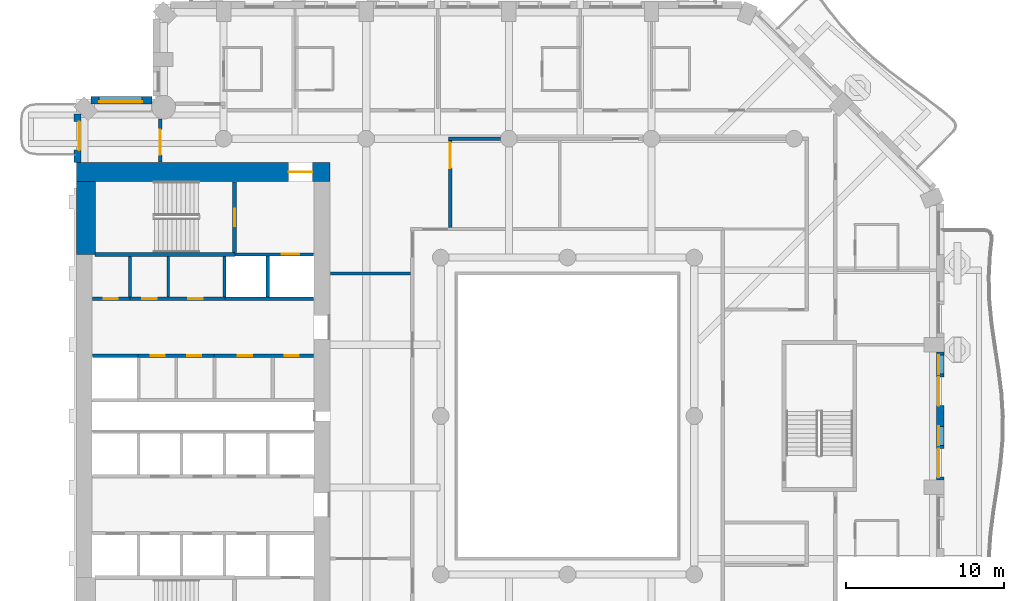
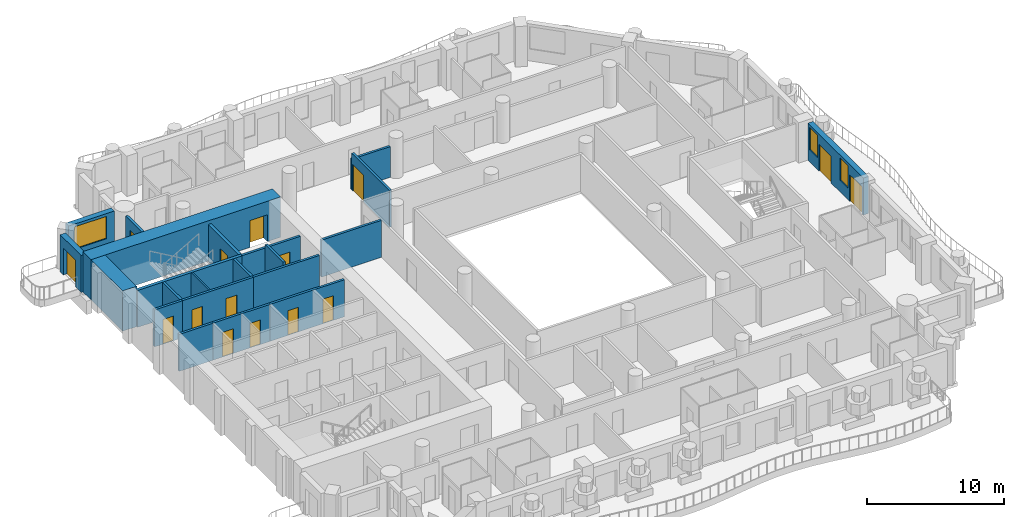
# One storey, part 7 of 20: 22 walls, 15 doors, 3 windows, 18 openings.
"""IFC4 building model written with IfcOpenShell, lengths in metres."""

import ifcopenshell
import ifcopenshell.guid

model = None  # the IFC model being written
_history = None  # IfcOwnerHistory: only IFC2X3 demands one
_inside = {}  # id of a spatial element -> (the spatial element, [elements in it])
_under = {}  # id of a project, library or spatial element -> (it, [spatial elements below it])
_declared = {}  # id of a project -> (the project, [libraries it declares])
_typed = {}  # id of a type object -> (the type object, [elements of that type])
_made_of = {}  # id of a material, layer set ... -> (it, [elements and type objects made of it])


def new_model(schema):
    """Start an empty IFC model of exactly this schema.

    Asked for "IFC4X3", IfcOpenShell would pick the latest addendum, in which some entities
    have other attributes; the version numbers below select the first issue.
    IFC2X3 requires an IfcOwnerHistory on every rooted entity: one is made here for all.
    """
    global model, _history
    if schema == "IFC4X3":
        model = ifcopenshell.file(schema_version=(4, 3, 0, 0))
    else:
        model = ifcopenshell.file(schema=schema)
    _inside.clear()
    _under.clear()
    _declared.clear()
    _typed.clear()
    _made_of.clear()
    _history = None
    if model.schema == "IFC2X3":
        org = make("IfcOrganization", Name="unknown")
        user = make(
            "IfcPersonAndOrganization",
            ThePerson=make("IfcPerson", FamilyName="unknown"),
            TheOrganization=org,
        )
        app = make(
            "IfcApplication",
            ApplicationDeveloper=org,
            Version="unknown",
            ApplicationFullName="unknown",
            ApplicationIdentifier="unknown",
        )
        _history = make(
            "IfcOwnerHistory",
            OwningUser=user,
            OwningApplication=app,
            ChangeAction="ADDED",
            CreationDate=0,
        )
    return model


def make(cls, **values):
    """One entity of the class cls with the attributes given. An attribute that is None is left unset."""
    return model.create_entity(
        cls, **{name: value for name, value in values.items() if value is not None}
    )


def rooted(cls, **values):
    """An entity with a GlobalId (a new one), such as an element, a storey or a relation."""
    return make(cls, GlobalId=ifcopenshell.guid.new(), OwnerHistory=_history, **values)


def si_unit(unit_type, name, prefix=None):
    """IfcSIUnit, for example si_unit("LENGTHUNIT", "METRE", prefix="MILLI")."""
    return make("IfcSIUnit", UnitType=unit_type, Prefix=prefix, Name=name)


def assignment(units):
    """IfcUnitAssignment: the units of a project."""
    return None if units is None else make("IfcUnitAssignment", Units=units)


def point(xyz):
    """IfcCartesianPoint."""
    return None if xyz is None else make("IfcCartesianPoint", Coordinates=xyz)


def direction(xyz):
    """IfcDirection."""
    return None if xyz is None else make("IfcDirection", DirectionRatios=xyz)


def frame(location, z_axis=None, x_axis=None):
    """IfcAxis2Placement3D, a coordinate frame: its origin and axes. An axis left out is left unset."""
    return make(
        "IfcAxis2Placement3D",
        Location=point(location),
        Axis=direction(z_axis),
        RefDirection=direction(x_axis),
    )


def frame_2d(location, x_axis=None):
    """IfcAxis2Placement2D, a coordinate frame in the plane: its origin and x axis."""
    return make(
        "IfcAxis2Placement2D", Location=point(location), RefDirection=direction(x_axis)
    )


def origin():
    """The frame at (0, 0, 0) with its axes left unset."""
    return frame((0.0, 0.0, 0.0))


def place(relative_to, where):
    """IfcLocalPlacement: puts the frame where relative to a parent placement (None: the world)."""
    return make(
        "IfcLocalPlacement", PlacementRelTo=relative_to, RelativePlacement=where
    )


def context(
    kind, dimensions, precision=None, world=None, true_north=None, identifier=None
):
    """IfcGeometricRepresentationContext, for example the 3D "Model" context."""
    return make(
        "IfcGeometricRepresentationContext",
        ContextIdentifier=identifier,
        ContextType=kind,
        CoordinateSpaceDimension=dimensions,
        Precision=precision,
        WorldCoordinateSystem=world,
        TrueNorth=true_north,
    )


def subcontext(parent, identifier, kind, view, scale=None):
    """IfcGeometricRepresentationSubContext, for example "Body" below "Model"."""
    return make(
        "IfcGeometricRepresentationSubContext",
        ContextIdentifier=identifier,
        ContextType=kind,
        ParentContext=parent,
        TargetScale=scale,
        TargetView=view,
    )


def project(units=None, contexts=None):
    """IfcProject with its units and contexts."""
    return rooted(
        "IfcProject",
        Name="project",
        RepresentationContexts=contexts,
        UnitsInContext=assignment(units),
    )


def spatial(cls, under=None, at=None, **own):
    """A site, building, storey or space (cls), placed at a placement, below another one or the project."""
    s = rooted(cls, ObjectPlacement=at, **own)
    if under is not None:
        _under.setdefault(under.id(), (under, []))[1].append(s)
    return s


def profile(cls, at=None, kind="AREA", **sizes):
    """A parametric profile (cls). Its sizes go by their IFC names, for example OverallWidth=200.0."""
    return make(cls, ProfileType=kind, Position=at, **sizes)


def rectangle(**sizes):
    """IfcRectangleProfileDef."""
    return profile("IfcRectangleProfileDef", **sizes)


def extrude(swept, where, along, depth):
    """IfcExtrudedAreaSolid: the profile swept, set in the frame where, extruded along a direction by depth."""
    return make(
        "IfcExtrudedAreaSolid",
        SweptArea=swept,
        Position=where,
        ExtrudedDirection=direction(along),
        Depth=depth,
    )


def shape(context_of_items, identifier, shape_type, items):
    """IfcShapeRepresentation: the items that make up one representation, for example the "Body"."""
    return make(
        "IfcShapeRepresentation",
        ContextOfItems=context_of_items,
        RepresentationIdentifier=identifier,
        RepresentationType=shape_type,
        Items=items,
    )


def material(Name=None, Category=None):
    """IfcMaterial."""
    return make("IfcMaterial", Name=Name, Category=Category)


def layer(
    of_material, thickness, ventilated=None, Name=None, Category=None, Priority=None
):
    """IfcMaterialLayer: one layer of a wall or slab, of a material (None: an air gap)."""
    return make(
        "IfcMaterialLayer",
        Material=of_material,
        LayerThickness=thickness,
        IsVentilated=ventilated,
        Name=Name,
        Category=Category,
        Priority=Priority,
    )


def layer_set(layers, Name=None):
    """IfcMaterialLayerSet."""
    return make("IfcMaterialLayerSet", MaterialLayers=layers, LayerSetName=Name)


def made_of(thing, what):
    """Note that an element or type object is made of a material, layer set ...; save() writes the relation."""
    if what is not None:
        _made_of.setdefault(what.id(), (what, []))[1].append(thing)
    return thing


def type_object(cls, material=None, **own):
    """A type object (cls), such as IfcWallType, which elements share."""
    return made_of(rooted(cls, **own), material)


def element(
    cls,
    number,
    at=None,
    inside=None,
    cuts=None,
    type_object=None,
    material=None,
    context=None,
    identifier="Body",
    shape_type=None,
    held_by="IfcProductDefinitionShape",
    body=None,
    shapes=None,
    **own,
):
    """One element of the class cls, such as IfcWall. Its Tag is "e" and its number.

    at: its placement. inside: the storey or other place that contains it. cuts: it is an
    opening in that element (IfcRelVoidsElement). A single representation is given by context,
    identifier, shape_type and body (its items); several are given by shapes. held_by: the class
    of the entity that holds the representations. save() writes the other relations.
    """
    e = rooted(cls, Tag="e%d" % number, ObjectPlacement=at, **own)
    if body is not None:
        shapes = [shape(context, identifier, shape_type, body)]
    if shapes is not None:
        e.Representation = make(held_by, Representations=shapes)
    if inside is not None:
        _inside.setdefault(inside.id(), (inside, []))[1].append(e)
    if cuts is not None:
        rooted(
            "IfcRelVoidsElement", RelatingBuildingElement=cuts, RelatedOpeningElement=e
        )
    if type_object is not None:
        _typed.setdefault(type_object.id(), (type_object, []))[1].append(e)
    return made_of(e, material)


def fill(opening, filler):
    """IfcRelFillsElement: the door or window that sits in an opening."""
    return rooted(
        "IfcRelFillsElement",
        RelatingOpeningElement=opening,
        RelatedBuildingElement=filler,
    )


def aggregate(whole, parts):
    """IfcRelAggregates: a whole, such as a stair, and the parts it consists of."""
    return rooted("IfcRelAggregates", RelatingObject=whole, RelatedObjects=parts)


def save(model, path):
    """Write the relations noted so far, then the file.

    IfcRelAggregates (storeys below a building ...), IfcRelContainedInSpatialStructure (elements
    in a storey), IfcRelDefinesByType, IfcRelAssociatesMaterial and IfcRelDeclares: one each for
    every whole, place, type object, material and project.
    """
    for whole, parts in _under.values():
        aggregate(whole, parts)
    for where, things in _inside.values():
        rooted(
            "IfcRelContainedInSpatialStructure",
            RelatedElements=things,
            RelatingStructure=where,
        )
    for kind, things in _typed.values():
        rooted("IfcRelDefinesByType", RelatedObjects=things, RelatingType=kind)
    for what, things in _made_of.values():
        rooted("IfcRelAssociatesMaterial", RelatedObjects=things, RelatingMaterial=what)
    for by, libraries in _declared.values():
        rooted("IfcRelDeclares", RelatingContext=by, RelatedDefinitions=libraries)
    model.write(path)


model = new_model("IFC4")

# Units and contexts
model_context = context("Model", 3, precision=1e-05, world=origin(), true_north=direction((0.0, 1.0)))
body_context = subcontext(model_context, "Body", "Model", "MODEL_VIEW")
ifc_project = project(units=[si_unit("LENGTHUNIT", "METRE"), si_unit("AREAUNIT", "SQUARE_METRE"), si_unit("VOLUMEUNIT", "CUBIC_METRE"), si_unit("PLANEANGLEUNIT", "RADIAN"), si_unit("MASSUNIT", "GRAM", prefix="KILO")], contexts=[model_context])

# Site, building, storey
site_placement = place(None, origin())
site = spatial("IfcSite", under=ifc_project, at=site_placement, CompositionType="ELEMENT")
building_placement = place(site_placement, origin())
building = spatial("IfcBuilding", under=site, at=building_placement, Name="Cypress Arch Tower", CompositionType="ELEMENT")
storey_placement = place(building_placement, frame((0.0, 0.0, 120.300048828125)))
storey = spatial("IfcBuildingStorey", under=building, at=storey_placement, Name="L25", CompositionType="ELEMENT", Elevation=120.300048828125)

# Wall, opening, door
ifc_material_1 = material(Name="Brick (red buff blend)", Category="masonry")
ifc_layer_1 = layer(ifc_material_1, 0.449951171875)
ifc_layer_set_1 = layer_set([ifc_layer_1], Name="Brick pier and spandrel wall BW450")
wall_type_1 = type_object("IfcWallType", Name="Brick pier and spandrel wall BW450", PredefinedType="SOLIDWALL", material=ifc_layer_set_1)
wall_1_placement = place(storey_placement, frame((-29.925048828125, 19.063720703125, 0.0), z_axis=(0.0, 0.0, 1.0), x_axis=(0.0, -1.0, 0.0)))
wall_1 = element("IfcWall", 1, at=wall_1_placement, inside=storey, type_object=wall_type_1, Name="Brick wall L25 A00.0", PredefinedType="SOLIDWALL", context=body_context, shape_type="SweptSolid", body=[
    extrude(rectangle(XDim=3.063720703125, YDim=0.449951171875, at=frame_2d((1.53173828125, 0.0))), origin(), (0.0, 0.0, 1.0), 3.300048828125),
])
opening_1_placement = place(wall_1_placement, frame((0.481689453125, 0.0, 0.0)))
opening_1 = element("IfcOpeningElement", 2, at=opening_1_placement, cuts=wall_1, Name="Opening D-L25-A00.0.1", PredefinedType="OPENING", context=body_context, shape_type="SweptSolid", body=[
    extrude(rectangle(XDim=1.800048828125, YDim=2.39990234375, at=frame_2d((0.89990234375, 1.199951171875))), frame((0.0, 0.23486328125, 0.0), z_axis=(0.0, -1.0, 0.0), x_axis=(1.0, 0.0, 0.0)), (0.0, 0.0, 1.0), 0.469970703125),
])
ifc_material_2 = material(Name="Anodised aluminium, bronze finish, laminated low-emissivity double glazing, large-missile impact rated", Category="aluminium")
door_type_1 = type_object("IfcDoorType", Name="Balcony sliding door 1800x2400", OperationType="SLIDING_TO_LEFT", PredefinedType="DOOR", material=ifc_material_2)
door_1_placement = place(opening_1_placement, origin())
door_1 = element("IfcDoor", 3, at=door_1_placement, inside=storey, type_object=door_type_1, Name="Balcony door L25 A00.0.1", OperationType="SLIDING_TO_LEFT", OverallHeight=2.39990234375, OverallWidth=1.800048828125, PredefinedType="DOOR", context=body_context, shape_type="SweptSolid", body=[
    extrude(rectangle(XDim=1.800048828125, YDim=2.39990234375, at=frame_2d((0.89990234375, 1.199951171875))), frame((0.0, 0.1298828125, 0.0), z_axis=(0.0, -1.0, 0.0), x_axis=(1.0, 0.0, 0.0)), (0.0, 0.0, 1.0), 0.050048828125),
])
fill(opening_1, door_1)

# Wall, openings, doors, windows
wall_2_placement = place(storey_placement, frame((24.52490234375, -4.050048828125, 0.0), z_axis=(0.0, 0.0, 1.0), x_axis=(0.0, 1.0, 0.0)))
wall_2 = element("IfcWall", 4, at=wall_2_placement, inside=storey, type_object=wall_type_1, Name="Brick wall L25 A06.2", PredefinedType="SOLIDWALL", context=body_context, shape_type="SweptSolid", body=[
    extrude(rectangle(XDim=8.10009765625, YDim=0.449951171875, at=frame_2d((4.050048828125, 0.0))), origin(), (0.0, 0.0, 1.0), 3.300048828125),
])
opening_2_placement = place(wall_2_placement, frame((0.199951171875, 0.0, 0.0)))
opening_2 = element("IfcOpeningElement", 5, at=opening_2_placement, cuts=wall_2, Name="Opening D-L25-A06.2.1", PredefinedType="OPENING", context=body_context, shape_type="SweptSolid", body=[
    extrude(rectangle(XDim=1.800048828125, YDim=2.39990234375, at=frame_2d((0.89990234375, 1.199951171875))), frame((0.0, 0.23486328125, 0.0), z_axis=(0.0, -1.0, 0.0), x_axis=(1.0, 0.0, 0.0)), (0.0, 0.0, 1.0), 0.469970703125),
])
opening_3_placement = place(wall_2_placement, frame((2.199951171875, 0.0, 1.050048828125)))
opening_3 = element("IfcOpeningElement", 6, at=opening_3_placement, cuts=wall_2, Name="Opening W120HD", PredefinedType="OPENING", context=body_context, shape_type="SweptSolid", body=[
    extrude(rectangle(XDim=1.199951171875, YDim=2.0, at=frame_2d((0.60009765625, 1.0))), frame((0.0, 0.23486328125, 0.0), z_axis=(0.0, -1.0, 0.0), x_axis=(1.0, 0.0, 0.0)), (0.0, 0.0, 1.0), 0.469970703125),
])
opening_4_placement = place(wall_2_placement, frame((4.699951171875, 0.0, 0.0)))
opening_4 = element("IfcOpeningElement", 7, at=opening_4_placement, cuts=wall_2, Name="Opening D-L25-A06.2.2", PredefinedType="OPENING", context=body_context, shape_type="SweptSolid", body=[
    extrude(rectangle(XDim=1.800048828125, YDim=2.39990234375, at=frame_2d((0.89990234375, 1.199951171875))), frame((0.0, 0.23486328125, 0.0), z_axis=(0.0, -1.0, 0.0), x_axis=(1.0, 0.0, 0.0)), (0.0, 0.0, 1.0), 0.469970703125),
])
opening_5_placement = place(wall_2_placement, frame((6.699951171875, 0.0, 1.050048828125)))
opening_5 = element("IfcOpeningElement", 8, at=opening_5_placement, cuts=wall_2, Name="Opening W120HD", PredefinedType="OPENING", context=body_context, shape_type="SweptSolid", body=[
    extrude(rectangle(XDim=1.199951171875, YDim=2.0, at=frame_2d((0.60009765625, 1.0))), frame((0.0, 0.23486328125, 0.0), z_axis=(0.0, -1.0, 0.0), x_axis=(1.0, 0.0, 0.0)), (0.0, 0.0, 1.0), 0.469970703125),
])
door_2_placement = place(opening_2_placement, origin())
door_2 = element("IfcDoor", 9, at=door_2_placement, inside=storey, type_object=door_type_1, Name="Balcony door L25 A06.2.1", OperationType="SLIDING_TO_LEFT", OverallHeight=2.39990234375, OverallWidth=1.800048828125, PredefinedType="DOOR", context=body_context, shape_type="SweptSolid", body=[
    extrude(rectangle(XDim=1.800048828125, YDim=2.39990234375, at=frame_2d((0.89990234375, 1.199951171875))), frame((0.0, 0.1298828125, 0.0), z_axis=(0.0, -1.0, 0.0), x_axis=(1.0, 0.0, 0.0)), (0.0, 0.0, 1.0), 0.050048828125),
])
fill(opening_2, door_2)
door_3_placement = place(opening_4_placement, origin())
door_3 = element("IfcDoor", 10, at=door_3_placement, inside=storey, type_object=door_type_1, Name="Balcony door L25 A06.2.2", OperationType="SLIDING_TO_LEFT", OverallHeight=2.39990234375, OverallWidth=1.800048828125, PredefinedType="DOOR", context=body_context, shape_type="SweptSolid", body=[
    extrude(rectangle(XDim=1.800048828125, YDim=2.39990234375, at=frame_2d((0.89990234375, 1.199951171875))), frame((0.0, 0.1298828125, 0.0), z_axis=(0.0, -1.0, 0.0), x_axis=(1.0, 0.0, 0.0)), (0.0, 0.0, 1.0), 0.050048828125),
])
fill(opening_4, door_3)
ifc_material_3 = material(Name="Anodised aluminium, bronze finish, laminated low-emissivity double glazing, large-missile impact rated", Category="aluminium")
window_type_1 = type_object("IfcWindowType", Name="Window Hotel 1200x2000 debris-rated", PartitioningType="SINGLE_PANEL", PredefinedType="WINDOW", material=ifc_material_3)
window_1_placement = place(opening_3_placement, origin())
window_1 = element("IfcWindow", 11, at=window_1_placement, inside=storey, type_object=window_type_1, Name="Window L25 A06.2.1", OverallHeight=2.0, OverallWidth=1.199951171875, PartitioningType="SINGLE_PANEL", PredefinedType="WINDOW", context=body_context, shape_type="SweptSolid", body=[
    extrude(rectangle(XDim=1.199951171875, YDim=2.0, at=frame_2d((0.60009765625, 1.0))), frame((0.0, 0.135009765625, 0.0), z_axis=(0.0, -1.0, 0.0), x_axis=(1.0, 0.0, 0.0)), (0.0, 0.0, 1.0), 0.06005859375),
])
fill(opening_3, window_1)
window_2_placement = place(opening_5_placement, origin())
window_2 = element("IfcWindow", 12, at=window_2_placement, inside=storey, type_object=window_type_1, Name="Window L25 A06.2.2", OverallHeight=2.0, OverallWidth=1.199951171875, PartitioningType="SINGLE_PANEL", PredefinedType="WINDOW", context=body_context, shape_type="SweptSolid", body=[
    extrude(rectangle(XDim=1.199951171875, YDim=2.0, at=frame_2d((0.60009765625, 1.0))), frame((0.0, 0.135009765625, 0.0), z_axis=(0.0, -1.0, 0.0), x_axis=(1.0, 0.0, 0.0)), (0.0, 0.0, 1.0), 0.06005859375),
])
fill(opening_5, window_2)

# Wall, opening, window
wall_3_placement = place(storey_placement, frame((-25.20703125, 19.925048828125, 0.0), z_axis=(0.0, 0.0, 1.0), x_axis=(-1.0, 0.0, 0.0)))
wall_3 = element("IfcWall", 13, at=wall_3_placement, inside=storey, type_object=wall_type_1, Name="Brick wall L25 A10.0", PredefinedType="SOLIDWALL", context=body_context, shape_type="SweptSolid", body=[
    extrude(rectangle(XDim=3.856689453125, YDim=0.449951171875, at=frame_2d((1.92822265625, 0.0))), origin(), (0.0, 0.0, 1.0), 3.300048828125),
])
opening_6_placement = place(wall_3_placement, frame((0.64306640625, 0.0, 1.050048828125)))
opening_6 = element("IfcOpeningElement", 14, at=opening_6_placement, cuts=wall_3, Name="Opening W270H", PredefinedType="OPENING", context=body_context, shape_type="SweptSolid", body=[
    extrude(rectangle(XDim=2.699951171875, YDim=2.0, at=frame_2d((1.35009765625, 1.0))), frame((0.0, 0.23486328125, 0.0), z_axis=(0.0, -1.0, 0.0), x_axis=(1.0, 0.0, 0.0)), (0.0, 0.0, 1.0), 0.469970703125),
])
ifc_material_4 = material(Name="Anodised aluminium, bronze finish, clear low-emissivity double glazing", Category="aluminium")
window_type_2 = type_object("IfcWindowType", Name="Window Hotel 2700x2000", PartitioningType="SINGLE_PANEL", PredefinedType="WINDOW", material=ifc_material_4)
window_3_placement = place(opening_6_placement, origin())
window_3 = element("IfcWindow", 15, at=window_3_placement, inside=storey, type_object=window_type_2, Name="Window L25 A10.0.1", OverallHeight=2.0, OverallWidth=2.699951171875, PartitioningType="SINGLE_PANEL", PredefinedType="WINDOW", context=body_context, shape_type="SweptSolid", body=[
    extrude(rectangle(XDim=2.699951171875, YDim=2.0, at=frame_2d((1.35009765625, 1.0))), frame((0.0, 0.135009765625, 0.0), z_axis=(0.0, -1.0, 0.0), x_axis=(1.0, 0.0, 0.0)), (0.0, 0.0, 1.0), 0.06005859375),
])
fill(opening_6, window_3)

# Wall, opening, door
ifc_material_5 = material(Name="Concrete C80/95", Category="concrete")
ifc_layer_2 = layer(ifc_material_5, 1.199951171875)
ifc_layer_set_2 = layer_set([ifc_layer_2], Name="Core wall CW1200 C80/95")
wall_type_2 = type_object("IfcWallType", Name="Core wall CW1200 C80/95", PredefinedType="SHEAR", material=ifc_layer_set_2)
wall_4_placement = place(storey_placement, frame((-30.0, 15.39990234375, 0.0), z_axis=(0.0, 0.0, 1.0), x_axis=(1.0, 0.0, 0.0)))
wall_4 = element("IfcWall", 16, at=wall_4_placement, inside=storey, type_object=wall_type_2, Name="Core wall", PredefinedType="SHEAR", context=body_context, shape_type="SweptSolid", body=[
    extrude(rectangle(XDim=16.0, YDim=1.199951171875, at=frame_2d((8.0, 0.0))), origin(), (0.0, 0.0, 1.0), 3.599853515625),
])
opening_7_placement = place(wall_4_placement, frame((13.39990234375, 0.0, 0.0)))
opening_7 = element("IfcOpeningElement", 17, at=opening_7_placement, cuts=wall_4, Name="Opening D07", PredefinedType="OPENING", context=body_context, shape_type="SweptSolid", body=[
    extrude(rectangle(XDim=1.5, YDim=2.39990234375, at=frame_2d((0.75, 1.199951171875))), frame((0.0, 0.60986328125, 0.0), z_axis=(0.0, -1.0, 0.0), x_axis=(1.0, 0.0, 0.0)), (0.0, 0.0, 1.0), 1.219970703125),
])
ifc_material_6 = material(Name="Steel framed glazed door, fire resisting", Category="steel")
door_type_2 = type_object("IfcDoorType", Name="Lobby door D07 1500x2400", OperationType="DOUBLE_DOOR_SINGLE_SWING", PredefinedType="DOOR", material=ifc_material_6)
door_4_placement = place(opening_7_placement, origin())
door_4 = element("IfcDoor", 18, at=door_4_placement, inside=storey, type_object=door_type_2, Name="Lobby door", OperationType="DOUBLE_DOOR_SINGLE_SWING", OverallHeight=2.39990234375, OverallWidth=1.5, PredefinedType="DOOR", context=body_context, shape_type="SweptSolid", body=[
    extrude(rectangle(XDim=1.5, YDim=2.39990234375, at=frame_2d((0.75, 1.199951171875))), frame((0.0, 0.02490234375, 0.0), z_axis=(0.0, -1.0, 0.0), x_axis=(1.0, 0.0, 0.0)), (0.0, 0.0, 1.0), 0.050048828125),
])
fill(opening_7, door_4)

# Wall
wall_5_placement = place(storey_placement, frame((-29.39990234375, 10.199951171875, 0.0), z_axis=(0.0, 0.0, 1.0), x_axis=(0.0, 1.0, 0.0)))
element("IfcWall", 19, at=wall_5_placement, inside=storey, type_object=wall_type_2, Name="Core wall", PredefinedType="SHEAR", context=body_context, shape_type="SweptSolid", body=[
    extrude(rectangle(XDim=4.60009765625, YDim=1.199951171875, at=frame_2d((2.300048828125, 0.0))), origin(), (0.0, 0.0, 1.0), 3.599853515625),
])

# Wall, openings, doors
ifc_material_7 = material(Name="Concrete blockwork, plastered, rated", Category="masonry")
ifc_layer_3 = layer(ifc_material_7, 0.199951171875)
ifc_layer_set_3 = layer_set([ifc_layer_3], Name="Corridor wall FW200")
wall_type_3 = type_object("IfcWallType", Name="Corridor wall FW200", PredefinedType="PARTITIONING", material=ifc_layer_set_3)
wall_6_placement = place(storey_placement, frame((-26.6201171875, 7.39990234375, 0.0), z_axis=(0.0, 0.0, 1.0), x_axis=(1.0, 0.0, 0.0)))
wall_6 = element("IfcWall", 20, at=wall_6_placement, inside=storey, type_object=wall_type_3, Name="Corridor wall", PredefinedType="PARTITIONING", context=body_context, shape_type="SweptSolid", body=[
    extrude(rectangle(XDim=6.0, YDim=0.199951171875, at=frame_2d((3.0, 0.0))), origin(), (0.0, 0.0, 1.0), 3.300048828125),
])
opening_8_placement = place(wall_6_placement, frame((0.800048828125, 0.0, 0.0)))
opening_8 = element("IfcOpeningElement", 21, at=opening_8_placement, cuts=wall_6, Name="Opening D05", PredefinedType="OPENING", context=body_context, shape_type="SweptSolid", body=[
    extrude(rectangle(XDim=0.89990234375, YDim=2.199951171875, at=frame_2d((0.449951171875, 1.10009765625))), frame((0.0, 0.10986328125, 0.0), z_axis=(0.0, -1.0, 0.0), x_axis=(1.0, 0.0, 0.0)), (0.0, 0.0, 1.0), 0.219970703125),
])
opening_9_placement = place(wall_6_placement, frame((3.699951171875, 0.0, 0.0)))
opening_9 = element("IfcOpeningElement", 22, at=opening_9_placement, cuts=wall_6, Name="Opening D05", PredefinedType="OPENING", context=body_context, shape_type="SweptSolid", body=[
    extrude(rectangle(XDim=0.89990234375, YDim=2.199951171875, at=frame_2d((0.449951171875, 1.10009765625))), frame((0.0, 0.10986328125, 0.0), z_axis=(0.0, -1.0, 0.0), x_axis=(1.0, 0.0, 0.0)), (0.0, 0.0, 1.0), 0.219970703125),
])
ifc_material_8 = material(Name="Timber flush door", Category="wood")
door_type_3 = type_object("IfcDoorType", Name="Service door D05 900x2200", OperationType="SINGLE_SWING_LEFT", PredefinedType="DOOR", material=ifc_material_8)
door_5_placement = place(opening_8_placement, origin())
door_5 = element("IfcDoor", 23, at=door_5_placement, inside=storey, type_object=door_type_3, Name="Service door", OperationType="SINGLE_SWING_RIGHT", OverallHeight=2.199951171875, OverallWidth=0.89990234375, PredefinedType="DOOR", context=body_context, shape_type="SweptSolid", body=[
    extrude(rectangle(XDim=0.89990234375, YDim=2.199951171875, at=frame_2d((0.449951171875, 1.10009765625))), frame((0.0, 0.02490234375, 0.0), z_axis=(0.0, -1.0, 0.0), x_axis=(1.0, 0.0, 0.0)), (0.0, 0.0, 1.0), 0.050048828125),
])
fill(opening_8, door_5)
door_6_placement = place(opening_9_placement, origin())
door_6 = element("IfcDoor", 24, at=door_6_placement, inside=storey, type_object=door_type_3, Name="Service door", OperationType="SINGLE_SWING_LEFT", OverallHeight=2.199951171875, OverallWidth=0.89990234375, PredefinedType="DOOR", context=body_context, shape_type="SweptSolid", body=[
    extrude(rectangle(XDim=0.89990234375, YDim=2.199951171875, at=frame_2d((0.449951171875, 1.10009765625))), frame((0.0, 0.02490234375, 0.0), z_axis=(0.0, -1.0, 0.0), x_axis=(1.0, 0.0, 0.0)), (0.0, 0.0, 1.0), 0.050048828125),
])
fill(opening_9, door_6)

wall_7_placement = place(storey_placement, frame((-26.10009765625, 3.800048828125, 0.0), z_axis=(0.0, 0.0, 1.0), x_axis=(1.0, 0.0, 0.0)))
wall_7 = element("IfcWall", 25, at=wall_7_placement, inside=storey, type_object=wall_type_3, Name="Corridor wall", PredefinedType="PARTITIONING", context=body_context, shape_type="SweptSolid", body=[
    extrude(rectangle(XDim=4.800048828125, YDim=0.199951171875, at=frame_2d((2.39990234375, 0.0))), origin(), (0.0, 0.0, 1.0), 3.300048828125),
])
opening_10_placement = place(wall_7_placement, frame((0.800048828125, 0.0, 0.0)))
opening_10 = element("IfcOpeningElement", 26, at=opening_10_placement, cuts=wall_7, Name="Opening D05", PredefinedType="OPENING", context=body_context, shape_type="SweptSolid", body=[
    extrude(rectangle(XDim=0.89990234375, YDim=2.199951171875, at=frame_2d((0.449951171875, 1.10009765625))), frame((0.0, 0.10986328125, 0.0), z_axis=(0.0, -1.0, 0.0), x_axis=(1.0, 0.0, 0.0)), (0.0, 0.0, 1.0), 0.219970703125),
])
opening_11_placement = place(wall_7_placement, frame((3.10009765625, 0.0, 0.0)))
opening_11 = element("IfcOpeningElement", 27, at=opening_11_placement, cuts=wall_7, Name="Opening D05", PredefinedType="OPENING", context=body_context, shape_type="SweptSolid", body=[
    extrude(rectangle(XDim=0.89990234375, YDim=2.199951171875, at=frame_2d((0.449951171875, 1.10009765625))), frame((0.0, 0.10986328125, 0.0), z_axis=(0.0, -1.0, 0.0), x_axis=(1.0, 0.0, 0.0)), (0.0, 0.0, 1.0), 0.219970703125),
])
door_7_placement = place(opening_10_placement, origin())
door_7 = element("IfcDoor", 28, at=door_7_placement, inside=storey, type_object=door_type_3, Name="Service door", OperationType="SINGLE_SWING_LEFT", OverallHeight=2.199951171875, OverallWidth=0.89990234375, PredefinedType="DOOR", context=body_context, shape_type="SweptSolid", body=[
    extrude(rectangle(XDim=0.89990234375, YDim=2.199951171875, at=frame_2d((0.449951171875, 1.10009765625))), frame((0.0, 0.02490234375, 0.0), z_axis=(0.0, -1.0, 0.0), x_axis=(1.0, 0.0, 0.0)), (0.0, 0.0, 1.0), 0.050048828125),
])
fill(opening_10, door_7)
door_8_placement = place(opening_11_placement, origin())
door_8 = element("IfcDoor", 29, at=door_8_placement, inside=storey, type_object=door_type_3, Name="Service door", OperationType="SINGLE_SWING_RIGHT", OverallHeight=2.199951171875, OverallWidth=0.89990234375, PredefinedType="DOOR", context=body_context, shape_type="SweptSolid", body=[
    extrude(rectangle(XDim=0.89990234375, YDim=2.199951171875, at=frame_2d((0.449951171875, 1.10009765625))), frame((0.0, 0.02490234375, 0.0), z_axis=(0.0, -1.0, 0.0), x_axis=(1.0, 0.0, 0.0)), (0.0, 0.0, 1.0), 0.050048828125),
])
fill(opening_11, door_8)

# Wall, opening, door
wall_8_placement = place(storey_placement, frame((-24.699951171875, 16.030029296875, 0.0), z_axis=(0.0, 0.0, 1.0), x_axis=(0.0, 1.0, 0.0)))
wall_8 = element("IfcWall", 30, at=wall_8_placement, inside=storey, type_object=wall_type_3, Name="Corridor wall", PredefinedType="PARTITIONING", context=body_context, shape_type="SweptSolid", body=[
    extrude(rectangle(XDim=2.72216796875, YDim=0.199951171875, at=frame_2d((1.361083984375, 0.0))), origin(), (0.0, 0.0, 1.0), 3.300048828125),
])
opening_12_placement = place(wall_8_placement, frame((0.449951171875, 0.0, 0.0)))
opening_12 = element("IfcOpeningElement", 31, at=opening_12_placement, cuts=wall_8, Name="Opening D10", PredefinedType="OPENING", context=body_context, shape_type="SweptSolid", body=[
    extrude(rectangle(XDim=1.60009765625, YDim=2.39990234375, at=frame_2d((0.800048828125, 1.199951171875))), frame((0.0, 0.10986328125, 0.0), z_axis=(0.0, -1.0, 0.0), x_axis=(1.0, 0.0, 0.0)), (0.0, 0.0, 1.0), 0.219970703125),
])
ifc_material_9 = material(Name="Black aluminium glazed door", Category="aluminium")
door_type_4 = type_object("IfcDoorType", Name="Amenity door D10 1600x2400", OperationType="DOUBLE_DOOR_SINGLE_SWING", PredefinedType="DOOR", material=ifc_material_9)
door_9_placement = place(opening_12_placement, origin())
door_9 = element("IfcDoor", 32, at=door_9_placement, inside=storey, type_object=door_type_4, Name="Amenity door", OperationType="DOUBLE_DOOR_SINGLE_SWING", OverallHeight=2.39990234375, OverallWidth=1.60009765625, PredefinedType="DOOR", context=body_context, shape_type="SweptSolid", body=[
    extrude(rectangle(XDim=1.60009765625, YDim=2.39990234375, at=frame_2d((0.800048828125, 1.199951171875))), frame((0.0, 0.02490234375, 0.0), z_axis=(0.0, -1.0, 0.0), x_axis=(1.0, 0.0, 0.0)), (0.0, 0.0, 1.0), 0.050048828125),
])
fill(opening_12, door_9)

# Wall
wall_9_placement = place(storey_placement, frame((-13.969970703125, 9.0, 0.0), z_axis=(0.0, 0.0, 1.0), x_axis=(1.0, 0.0, 0.0)))
element("IfcWall", 33, at=wall_9_placement, inside=storey, type_object=wall_type_3, Name="Corridor wall", PredefinedType="PARTITIONING", context=body_context, shape_type="SweptSolid", body=[
    extrude(rectangle(XDim=5.070068359375, YDim=0.199951171875, at=frame_2d((2.53515625, 0.0))), origin(), (0.0, 0.0, 1.0), 3.300048828125),
])

# Wall, opening, door
wall_10_placement = place(storey_placement, frame((-6.39990234375, 11.89990234375, 0.0), z_axis=(0.0, 0.0, 1.0), x_axis=(0.0, 1.0, 0.0)))
wall_10 = element("IfcWall", 34, at=wall_10_placement, inside=storey, type_object=wall_type_3, Name="Corridor wall", PredefinedType="PARTITIONING", context=body_context, shape_type="SweptSolid", body=[
    extrude(rectangle(XDim=5.5, YDim=0.199951171875, at=frame_2d((2.75, 0.0))), origin(), (0.0, 0.0, 1.0), 3.300048828125),
])
opening_13_placement = place(wall_10_placement, frame((3.75, 0.0, 0.0)))
opening_13 = element("IfcOpeningElement", 35, at=opening_13_placement, cuts=wall_10, Name="Opening D10", PredefinedType="OPENING", context=body_context, shape_type="SweptSolid", body=[
    extrude(rectangle(XDim=1.60009765625, YDim=2.39990234375, at=frame_2d((0.800048828125, 1.199951171875))), frame((0.0, 0.10986328125, 0.0), z_axis=(0.0, -1.0, 0.0), x_axis=(1.0, 0.0, 0.0)), (0.0, 0.0, 1.0), 0.219970703125),
])
door_10_placement = place(opening_13_placement, origin())
door_10 = element("IfcDoor", 36, at=door_10_placement, inside=storey, type_object=door_type_4, Name="Amenity door", OperationType="DOUBLE_DOOR_SINGLE_SWING", OverallHeight=2.39990234375, OverallWidth=1.60009765625, PredefinedType="DOOR", context=body_context, shape_type="SweptSolid", body=[
    extrude(rectangle(XDim=1.60009765625, YDim=2.39990234375, at=frame_2d((0.800048828125, 1.199951171875))), frame((0.0, 0.02490234375, 0.0), z_axis=(0.0, -1.0, 0.0), x_axis=(1.0, 0.0, 0.0)), (0.0, 0.0, 1.0), 0.050048828125),
])
fill(opening_13, door_10)

# Walls
wall_11_placement = place(storey_placement, frame((-6.5, 17.5, 0.0), z_axis=(0.0, 0.0, 1.0), x_axis=(1.0, 0.0, 0.0)))
element("IfcWall", 37, at=wall_11_placement, inside=storey, type_object=wall_type_3, Name="Corridor wall", PredefinedType="PARTITIONING", context=body_context, shape_type="SweptSolid", body=[
    extrude(rectangle(XDim=3.27490234375, YDim=0.199951171875, at=frame_2d((1.637451171875, 0.0))), origin(), (0.0, 0.0, 1.0), 2.75),
])
ifc_material_10 = material(Name="Blockwork, plastered both sides", Category="masonry")
ifc_layer_4 = layer(ifc_material_10, 0.14990234375)
ifc_layer_set_4 = layer_set([ifc_layer_4], Name="Partition PW150")
wall_type_4 = type_object("IfcWallType", Name="Partition PW150", PredefinedType="PARTITIONING", material=ifc_layer_set_4)
wall_12_placement = place(storey_placement, frame((-24.199951171875, 7.5, 0.0), z_axis=(0.0, 0.0, 1.0), x_axis=(0.0, 1.0, 0.0)))
element("IfcWall", 38, at=wall_12_placement, inside=storey, type_object=wall_type_4, Name="Partition", PredefinedType="PARTITIONING", context=body_context, shape_type="SweptSolid", body=[
    extrude(rectangle(XDim=2.574951171875, YDim=0.14990234375, at=frame_2d((1.28759765625, 0.0))), origin(), (0.0, 0.0, 1.0), 3.300048828125),
])

# Wall, opening, door
ifc_material_11 = material(Name="Reinforced blockwork, plastered, rated", Category="masonry")
ifc_layer_5 = layer(ifc_material_11, 0.199951171875)
ifc_layer_set_5 = layer_set([ifc_layer_5], Name="Plant and riser wall PL200")
wall_type_5 = type_object("IfcWallType", Name="Plant and riser wall PL200", PredefinedType="PARTITIONING", material=ifc_layer_set_5)
wall_13_placement = place(storey_placement, frame((-28.969970703125, 7.39990234375, 0.0), z_axis=(0.0, 0.0, 1.0), x_axis=(1.0, 0.0, 0.0)))
wall_13 = element("IfcWall", 39, at=wall_13_placement, inside=storey, type_object=wall_type_5, Name="Plant and riser wall", PredefinedType="PARTITIONING", context=body_context, shape_type="SweptSolid", body=[
    extrude(rectangle(XDim=2.349853515625, YDim=0.199951171875, at=frame_2d((1.1748046875, 0.0))), origin(), (0.0, 0.0, 1.0), 3.300048828125),
])
opening_14_placement = place(wall_13_placement, frame((0.699951171875, 0.0, 0.0)))
opening_14 = element("IfcOpeningElement", 40, at=opening_14_placement, cuts=wall_13, Name="Opening D05", PredefinedType="OPENING", context=body_context, shape_type="SweptSolid", body=[
    extrude(rectangle(XDim=0.89990234375, YDim=2.199951171875, at=frame_2d((0.449951171875, 1.10009765625))), frame((0.0, 0.10986328125, 0.0), z_axis=(0.0, -1.0, 0.0), x_axis=(1.0, 0.0, 0.0)), (0.0, 0.0, 1.0), 0.219970703125),
])
door_11_placement = place(opening_14_placement, origin())
door_11 = element("IfcDoor", 41, at=door_11_placement, inside=storey, type_object=door_type_3, Name="Service door", OperationType="SINGLE_SWING_RIGHT", OverallHeight=2.199951171875, OverallWidth=0.89990234375, PredefinedType="DOOR", context=body_context, shape_type="SweptSolid", body=[
    extrude(rectangle(XDim=0.89990234375, YDim=2.199951171875, at=frame_2d((0.449951171875, 1.10009765625))), frame((0.0, 0.02490234375, 0.0), z_axis=(0.0, -1.0, 0.0), x_axis=(1.0, 0.0, 0.0)), (0.0, 0.0, 1.0), 0.050048828125),
])
fill(opening_14, door_11)

# Wall
wall_14_placement = place(storey_placement, frame((-26.60009765625, 7.5, 0.0), z_axis=(0.0, 0.0, 1.0), x_axis=(0.0, 1.0, 0.0)))
element("IfcWall", 42, at=wall_14_placement, inside=storey, type_object=wall_type_5, Name="Plant and riser wall", PredefinedType="PARTITIONING", context=body_context, shape_type="SweptSolid", body=[
    extrude(rectangle(XDim=2.574951171875, YDim=0.199951171875, at=frame_2d((1.28759765625, 0.0))), origin(), (0.0, 0.0, 1.0), 3.300048828125),
])

# Wall, openings, doors
wall_15_placement = place(storey_placement, frame((-21.300048828125, 3.800048828125, 0.0), z_axis=(0.0, 0.0, 1.0), x_axis=(1.0, 0.0, 0.0)))
wall_15 = element("IfcWall", 43, at=wall_15_placement, inside=storey, type_object=wall_type_5, Name="Plant and riser wall", PredefinedType="PARTITIONING", context=body_context, shape_type="SweptSolid", body=[
    extrude(rectangle(XDim=6.27001953125, YDim=0.199951171875, at=frame_2d((3.135009765625, 0.0))), origin(), (0.0, 0.0, 1.0), 3.300048828125),
])
opening_15_placement = place(wall_15_placement, frame((1.5, 0.0, 0.0)))
opening_15 = element("IfcOpeningElement", 44, at=opening_15_placement, cuts=wall_15, Name="Opening D05", PredefinedType="OPENING", context=body_context, shape_type="SweptSolid", body=[
    extrude(rectangle(XDim=0.89990234375, YDim=2.199951171875, at=frame_2d((0.449951171875, 1.10009765625))), frame((0.0, 0.10986328125, 0.0), z_axis=(0.0, -1.0, 0.0), x_axis=(1.0, 0.0, 0.0)), (0.0, 0.0, 1.0), 0.219970703125),
])
opening_16_placement = place(wall_15_placement, frame((4.449951171875, 0.0, 0.0)))
opening_16 = element("IfcOpeningElement", 45, at=opening_16_placement, cuts=wall_15, Name="Opening D05", PredefinedType="OPENING", context=body_context, shape_type="SweptSolid", body=[
    extrude(rectangle(XDim=0.89990234375, YDim=2.199951171875, at=frame_2d((0.449951171875, 1.10009765625))), frame((0.0, 0.10986328125, 0.0), z_axis=(0.0, -1.0, 0.0), x_axis=(1.0, 0.0, 0.0)), (0.0, 0.0, 1.0), 0.219970703125),
])
door_12_placement = place(opening_15_placement, origin())
door_12 = element("IfcDoor", 46, at=door_12_placement, inside=storey, type_object=door_type_3, Name="Service door", OperationType="SINGLE_SWING_LEFT", OverallHeight=2.199951171875, OverallWidth=0.89990234375, PredefinedType="DOOR", context=body_context, shape_type="SweptSolid", body=[
    extrude(rectangle(XDim=0.89990234375, YDim=2.199951171875, at=frame_2d((0.449951171875, 1.10009765625))), frame((0.0, 0.02490234375, 0.0), z_axis=(0.0, -1.0, 0.0), x_axis=(1.0, 0.0, 0.0)), (0.0, 0.0, 1.0), 0.050048828125),
])
fill(opening_15, door_12)
door_13_placement = place(opening_16_placement, origin())
door_13 = element("IfcDoor", 47, at=door_13_placement, inside=storey, type_object=door_type_3, Name="Service door", OperationType="SINGLE_SWING_RIGHT", OverallHeight=2.199951171875, OverallWidth=0.89990234375, PredefinedType="DOOR", context=body_context, shape_type="SweptSolid", body=[
    extrude(rectangle(XDim=0.89990234375, YDim=2.199951171875, at=frame_2d((0.449951171875, 1.10009765625))), frame((0.0, 0.02490234375, 0.0), z_axis=(0.0, -1.0, 0.0), x_axis=(1.0, 0.0, 0.0)), (0.0, 0.0, 1.0), 0.050048828125),
])
fill(opening_16, door_13)

# Walls
ifc_material_12 = material(Name="Concrete C50/60", Category="concrete")
ifc_layer_6 = layer(ifc_material_12, 0.199951171875)
ifc_layer_set_6 = layer_set([ifc_layer_6], Name="Shaft wall SH200")
wall_type_6 = type_object("IfcWallType", Name="Shaft wall SH200", PredefinedType="SHEAR", material=ifc_layer_set_6)
wall_16_placement = place(storey_placement, frame((-28.969970703125, 3.800048828125, 0.0), z_axis=(0.0, 0.0, 1.0), x_axis=(1.0, 0.0, 0.0)))
element("IfcWall", 48, at=wall_16_placement, inside=storey, type_object=wall_type_6, Name="Shaft wall", PredefinedType="SHEAR", context=body_context, shape_type="SweptSolid", body=[
    extrude(rectangle(XDim=2.869873046875, YDim=0.199951171875, at=frame_2d((1.43505859375, 0.0))), origin(), (0.0, 0.0, 1.0), 3.300048828125),
])
wall_17_placement = place(storey_placement, frame((-20.639892578125, 7.5, 0.0), z_axis=(0.0, 0.0, 1.0), x_axis=(0.0, 1.0, 0.0)))
element("IfcWall", 49, at=wall_17_placement, inside=storey, type_object=wall_type_6, Name="Shaft wall", PredefinedType="SHEAR", context=body_context, shape_type="SweptSolid", body=[
    extrude(rectangle(XDim=2.574951171875, YDim=0.199951171875, at=frame_2d((1.28759765625, 0.0))), origin(), (0.0, 0.0, 1.0), 3.300048828125),
])
wall_18_placement = place(storey_placement, frame((-20.6201171875, 7.39990234375, 0.0), z_axis=(0.0, 0.0, 1.0), x_axis=(1.0, 0.0, 0.0)))
element("IfcWall", 50, at=wall_18_placement, inside=storey, type_object=wall_type_6, Name="Shaft wall", PredefinedType="SHEAR", context=body_context, shape_type="SweptSolid", body=[
    extrude(rectangle(XDim=5.590087890625, YDim=0.199951171875, at=frame_2d((2.794921875, 0.0))), origin(), (0.0, 0.0, 1.0), 3.300048828125),
])

# Wall, opening, door
wall_19_placement = place(storey_placement, frame((-19.97998046875, 10.199951171875, 0.0), z_axis=(0.0, 0.0, 1.0), x_axis=(1.0, 0.0, 0.0)))
wall_19 = element("IfcWall", 51, at=wall_19_placement, inside=storey, type_object=wall_type_6, Name="Shaft wall", PredefinedType="SHEAR", context=body_context, shape_type="SweptSolid", body=[
    extrude(rectangle(XDim=4.949951171875, YDim=0.199951171875, at=frame_2d((2.47509765625, 0.0))), origin(), (0.0, 0.0, 1.0), 3.300048828125),
])
opening_17_placement = place(wall_19_placement, frame((2.949951171875, 0.0, 0.0)))
opening_17 = element("IfcOpeningElement", 52, at=opening_17_placement, cuts=wall_19, Name="Opening LD-FL2", PredefinedType="OPENING", context=body_context, shape_type="SweptSolid", body=[
    extrude(rectangle(XDim=1.10009765625, YDim=2.199951171875, at=frame_2d((0.550048828125, 1.10009765625))), frame((0.0, 0.10986328125, 0.0), z_axis=(0.0, -1.0, 0.0), x_axis=(1.0, 0.0, 0.0)), (0.0, 0.0, 1.0), 0.219970703125),
])
ifc_material_13 = material(Name="Stainless steel centre-opening landing door, rated", Category="steel")
door_type_5 = type_object("IfcDoorType", Name="Lift landing door LD 1100x2200", OperationType="DOUBLE_DOOR_SLIDING", PredefinedType="DOOR", material=ifc_material_13)
door_14_placement = place(opening_17_placement, origin())
door_14 = element("IfcDoor", 53, at=door_14_placement, inside=storey, type_object=door_type_5, Name="Lift landing doors FL2", OperationType="DOUBLE_DOOR_SLIDING", OverallHeight=2.199951171875, OverallWidth=1.10009765625, PredefinedType="DOOR", context=body_context, shape_type="SweptSolid", body=[
    extrude(rectangle(XDim=1.10009765625, YDim=2.199951171875, at=frame_2d((0.550048828125, 1.10009765625))), frame((0.0, 0.02490234375, 0.0), z_axis=(0.0, -1.0, 0.0), x_axis=(1.0, 0.0, 0.0)), (0.0, 0.0, 1.0), 0.050048828125),
])
fill(opening_17, door_14)

# Walls
wall_20_placement = place(storey_placement, frame((-17.919921875, 7.5, 0.0), z_axis=(0.0, 0.0, 1.0), x_axis=(0.0, 1.0, 0.0)))
element("IfcWall", 54, at=wall_20_placement, inside=storey, type_object=wall_type_6, Name="Shaft wall", PredefinedType="SHEAR", context=body_context, shape_type="SweptSolid", body=[
    extrude(rectangle(XDim=2.60009765625, YDim=0.199951171875, at=frame_2d((1.300048828125, 0.0))), origin(), (0.0, 0.0, 1.0), 3.599853515625),
])
ifc_material_14 = material(Name="Concrete C50/60", Category="concrete")
ifc_layer_7 = layer(ifc_material_14, 0.25)
ifc_layer_set_7 = layer_set([ifc_layer_7], Name="Stair enclosure wall SW250")
wall_type_7 = type_object("IfcWallType", Name="Stair enclosure wall SW250", PredefinedType="SHEAR", material=ifc_layer_set_7)
wall_21_placement = place(storey_placement, frame((-28.81005859375, 10.199951171875, 0.0), z_axis=(0.0, 0.0, 1.0), x_axis=(1.0, 0.0, 0.0)))
element("IfcWall", 55, at=wall_21_placement, inside=storey, type_object=wall_type_7, Name="Stair enclosure wall", PredefinedType="SHEAR", context=body_context, shape_type="SweptSolid", body=[
    extrude(rectangle(XDim=8.830078125, YDim=0.25, at=frame_2d((4.4150390625, 0.0))), origin(), (0.0, 0.0, 1.0), 3.300048828125),
])

# Wall, opening, door
wall_22_placement = place(storey_placement, frame((-20.0, 10.324951171875, 0.0), z_axis=(0.0, 0.0, 1.0), x_axis=(0.0, 1.0, 0.0)))
wall_22 = element("IfcWall", 56, at=wall_22_placement, inside=storey, type_object=wall_type_7, Name="Stair enclosure wall", PredefinedType="SHEAR", context=body_context, shape_type="SweptSolid", body=[
    extrude(rectangle(XDim=4.445068359375, YDim=0.25, at=frame_2d((2.22265625, 0.0))), origin(), (0.0, 0.0, 1.0), 3.300048828125),
])
opening_18_placement = place(wall_22_placement, frame((1.64990234375, 0.0, 0.0)))
opening_18 = element("IfcOpeningElement", 57, at=opening_18_placement, cuts=wall_22, Name="Opening D06", PredefinedType="OPENING", context=body_context, shape_type="SweptSolid", body=[
    extrude(rectangle(XDim=1.10009765625, YDim=2.199951171875, at=frame_2d((0.550048828125, 1.10009765625))), frame((0.0, 0.135009765625, 0.0), z_axis=(0.0, -1.0, 0.0), x_axis=(1.0, 0.0, 0.0)), (0.0, 0.0, 1.0), 0.27001953125),
])
ifc_material_15 = material(Name="Steel door, fire resisting, panic bar", Category="steel")
door_type_6 = type_object("IfcDoorType", Name="Stair door D06 1100x2200", OperationType="SINGLE_SWING_LEFT", PredefinedType="DOOR", material=ifc_material_15)
door_15_placement = place(opening_18_placement, origin())
door_15 = element("IfcDoor", 58, at=door_15_placement, inside=storey, type_object=door_type_6, Name="Stair door", OperationType="SINGLE_SWING_LEFT", OverallHeight=2.199951171875, OverallWidth=1.10009765625, PredefinedType="DOOR", context=body_context, shape_type="SweptSolid", body=[
    extrude(rectangle(XDim=1.10009765625, YDim=2.199951171875, at=frame_2d((0.550048828125, 1.10009765625))), frame((0.0, 0.02490234375, 0.0), z_axis=(0.0, -1.0, 0.0), x_axis=(1.0, 0.0, 0.0)), (0.0, 0.0, 1.0), 0.050048828125),
])
fill(opening_18, door_15)

save(model, "model.ifc")
